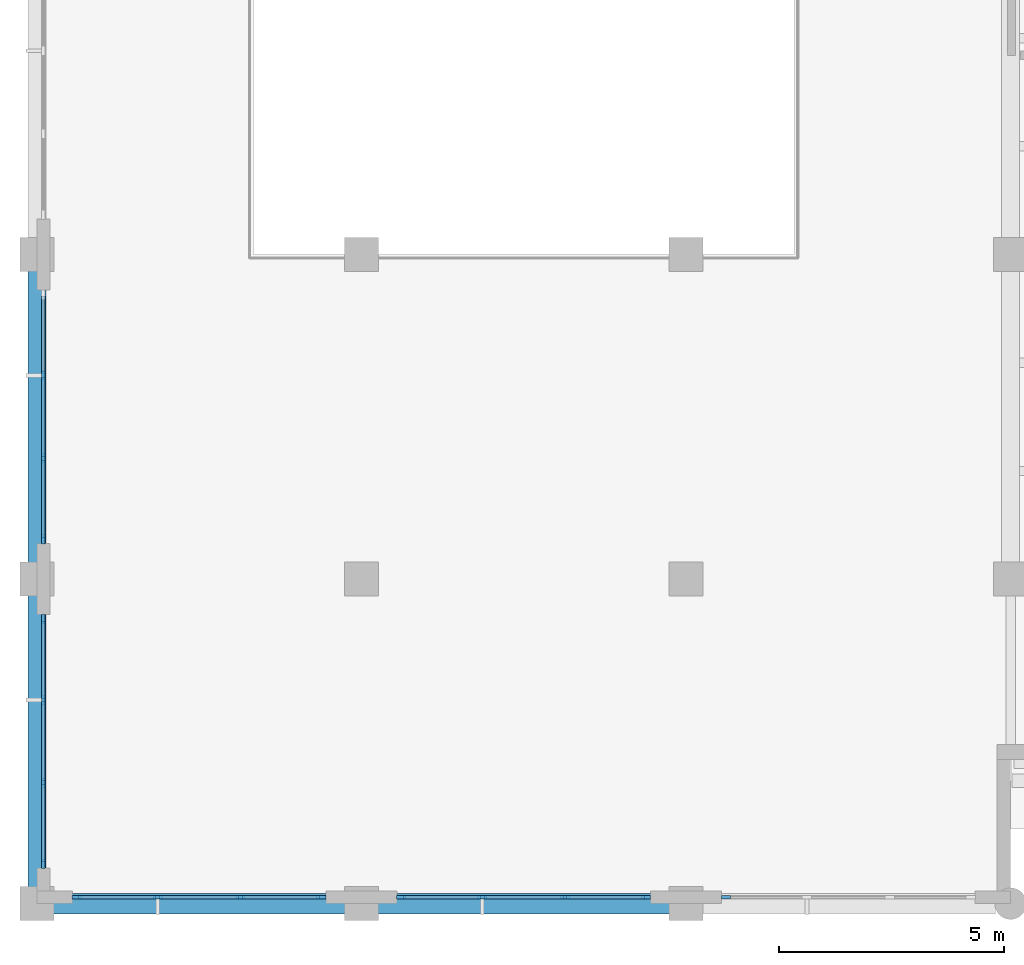
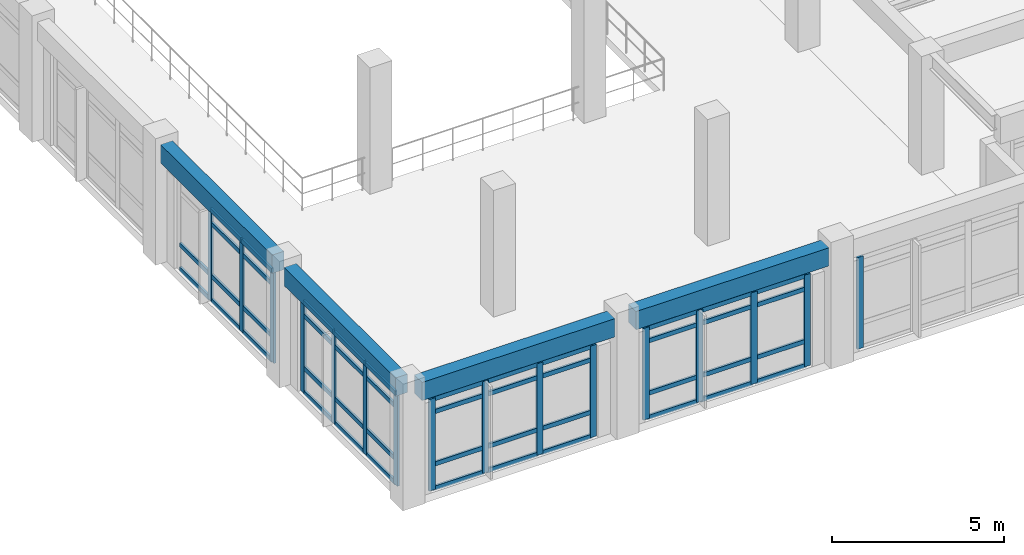
# One storey, part 2 of 64: 62 members, 4 beams, 5 elements without a shape of their own.
"""IFC4 building model written with IfcOpenShell, lengths in metres."""

from ifc_helpers import new_model, si_unit, direction, frame, origin, origin_2d, place, context, subcontext, project, spatial, rectangle, extrude, material, layer, layer_set, material_profile, profile_set, type_object, element, aggregate, save


model = new_model("IFC4")

# Units and contexts
model_context = context("Model", 3, precision=1e-05, world=origin(), true_north=direction((0.0, 1.0)))
body_context = subcontext(model_context, "Body", "Model", "MODEL_VIEW")
ifc_project = project(units=[si_unit("LENGTHUNIT", "METRE"), si_unit("AREAUNIT", "SQUARE_METRE"), si_unit("VOLUMEUNIT", "CUBIC_METRE"), si_unit("PLANEANGLEUNIT", "RADIAN"), si_unit("MASSUNIT", "GRAM", prefix="KILO")], contexts=[model_context])

# Site, building, storey
site_placement = place(None, origin())
site = spatial("IfcSite", under=ifc_project, at=site_placement, CompositionType="ELEMENT")
building_placement = place(site_placement, origin())
building = spatial("IfcBuilding", under=site, at=building_placement, Name="Solenvale Faculty of Natural Sciences", CompositionType="ELEMENT")
storey_placement = place(building_placement, frame((0.0, 0.0, 18.0)))
storey = spatial("IfcBuildingStorey", under=building, at=storey_placement, Name="L04", CompositionType="ELEMENT", Elevation=18.0)

# Beams
ifc_material_1 = material(Name="Concrete 40 MPa", Category="concrete")
ifc_material_profile_1 = material_profile(ifc_material_1, rectangle(XDim=0.39990234375, YDim=0.64990234375, at=origin_2d()), Name="RC-BM-400x650")
ifc_profile_set_1 = profile_set([ifc_material_profile_1], Name="Concrete 40 MPa")
beam_type_1 = type_object("IfcBeamType", Name="BM-RC-400x650", PredefinedType="BEAM", material=ifc_profile_set_1)
beam_1_placement = place(storey_placement, frame((36.0, 14.7548828125, 3.89501953125), z_axis=(0.0, 1.0, 0.0), x_axis=(-1.0, 0.0, 0.0)))
element("IfcBeam", 1, at=beam_1_placement, inside=storey, type_object=beam_type_1, Name="L04 Y-Girder X36.0 (14.4..21.6)", PredefinedType="BEAM", context=body_context, shape_type="SweptSolid", body=[
    extrude(rectangle(XDim=0.39990234375, YDim=0.64990234375, at=origin_2d()), origin(), (0.0, 0.0, 1.0), 6.490234375),
])
beam_2_placement = place(storey_placement, frame((36.0, 21.955078125, 3.89501953125), z_axis=(0.0, 1.0, 0.0), x_axis=(-1.0, 0.0, 0.0)))
element("IfcBeam", 2, at=beam_2_placement, inside=storey, type_object=beam_type_1, Name="L04 Y-Girder X36.0 (21.6..28.8)", PredefinedType="BEAM", context=body_context, shape_type="SweptSolid", body=[
    extrude(rectangle(XDim=0.39990234375, YDim=0.64990234375, at=origin_2d()), origin(), (0.0, 0.0, 1.0), 6.489990234375),
])
ifc_material_profile_2 = material_profile(ifc_material_1, rectangle(XDim=0.449951171875, YDim=0.64990234375, at=origin_2d()), Name="RC-BM-450x650")
ifc_profile_set_2 = profile_set([ifc_material_profile_2], Name="Concrete 40 MPa")
beam_type_2 = type_object("IfcBeamType", Name="BM-RC-450x650", PredefinedType="BEAM", material=ifc_profile_set_2)
for number, where, z_axis, x_axis, name in (
    (3, (36.35498046875, 14.39990234375, 3.89501953125), (1.0, 0.0, 0.0), (0.0, 1.0, 0.0), "L04 X-Girder Y14.4 (36.0..43.2)"),
    (4, (43.554931640625, 14.39990234375, 3.89501953125), (1.0, 0.0, 0.0), (0.0, 1.0, 0.0), "L04 X-Girder Y14.4 (43.2..50.4)"),
):
    element("IfcBeam", number, at=place(storey_placement, frame(where, z_axis=z_axis, x_axis=x_axis)), inside=storey, type_object=beam_type_2, Name=name, PredefinedType="BEAM", context=body_context, shape_type="SweptSolid", body=[
        extrude(rectangle(XDim=0.449951171875, YDim=0.64990234375, at=origin_2d()), origin(), (0.0, 0.0, 1.0), 6.489990234375),
    ])

# Curtain wall, members
ifc_material_2 = material(Name="Anodised bronze aluminium", Category="aluminium")
ifc_layer = layer(ifc_material_2, 0.215087890625)
ifc_layer_set = layer_set([ifc_layer], Name="Anodised bronze aluminium")
curtain_wall_type = type_object("IfcCurtainWallType", Name="CW-ATR-UNIT", PredefinedType="USERDEFINED", material=ifc_layer_set)
curtain_wall_1_placement = place(storey_placement, origin())
curtain_wall_1 = element("IfcCurtainWall", 5, at=curtain_wall_1_placement, inside=storey, type_object=curtain_wall_type, Name="L04 Curtain Wall CW-L04-P1-E3-B10", ObjectType="UNITISED CURTAIN WALL", PredefinedType="USERDEFINED")
ifc_material_profile_3 = material_profile(ifc_material_2, rectangle(XDim=0.074951171875, YDim=0.2099609375, at=origin_2d()), Name="ALU-MUL-75x210")
ifc_profile_set_3 = profile_set([ifc_material_profile_3], Name="Anodised bronze aluminium")
member_type_1 = type_object("IfcMemberType", Name="CWM-ALU-75x210", PredefinedType="MULLION", material=ifc_profile_set_3)
member_1_placement = place(storey_placement, frame((36.142578125, 26.11669921875, 0.0), z_axis=(0.0, 0.0, 1.0), x_axis=(1.0, 0.0, 0.0)))
member_1 = element("IfcMember", 6, at=member_1_placement, type_object=member_type_1, Name="CW-01 mullion 2", PredefinedType="MULLION", context=body_context, shape_type="SweptSolid", body=[
    extrude(rectangle(XDim=0.074951171875, YDim=0.2099609375, at=origin_2d()), origin(), (0.0, 0.0, 1.0), 3.260009765625),
])
member_2_placement = place(storey_placement, frame((36.142578125, 24.283447265625, 0.0), z_axis=(0.0, 0.0, 1.0), x_axis=(1.0, 0.0, 0.0)))
member_2 = element("IfcMember", 7, at=member_2_placement, type_object=member_type_1, Name="CW-01 mullion 3", PredefinedType="MULLION", context=body_context, shape_type="SweptSolid", body=[
    extrude(rectangle(XDim=0.074951171875, YDim=0.2099609375, at=origin_2d()), origin(), (0.0, 0.0, 1.0), 3.260009765625),
])
member_3_placement = place(storey_placement, frame((36.142578125, 22.487548828125, 0.0), z_axis=(0.0, 0.0, 1.0), x_axis=(1.0, 0.0, 0.0)))
member_3 = element("IfcMember", 8, at=member_3_placement, type_object=member_type_1, Name="CW-01 mullion 4", PredefinedType="MULLION", context=body_context, shape_type="SweptSolid", body=[
    extrude(rectangle(XDim=0.074951171875, YDim=0.2099609375, at=origin_2d()), origin(), (0.0, 0.0, 1.0), 3.260009765625),
])

curtain_wall_2_placement = place(storey_placement, origin())
curtain_wall_2 = element("IfcCurtainWall", 9, at=curtain_wall_2_placement, inside=storey, type_object=curtain_wall_type, Name="L04 Curtain Wall CW-L04-P1-E3-B11", ObjectType="UNITISED CURTAIN WALL", PredefinedType="USERDEFINED")
member_4_placement = place(storey_placement, frame((36.142578125, 20.71240234375, 0.0), z_axis=(0.0, 0.0, 1.0), x_axis=(1.0, 0.0, 0.0)))
member_4 = element("IfcMember", 10, at=member_4_placement, type_object=member_type_1, Name="CW-01 mullion 1", PredefinedType="MULLION", context=body_context, shape_type="SweptSolid", body=[
    extrude(rectangle(XDim=0.074951171875, YDim=0.2099609375, at=origin_2d()), origin(), (0.0, 0.0, 1.0), 3.260009765625),
])
member_5_placement = place(storey_placement, frame((36.142578125, 18.916748046875, 0.0), z_axis=(0.0, 0.0, 1.0), x_axis=(1.0, 0.0, 0.0)))
member_5 = element("IfcMember", 11, at=member_5_placement, type_object=member_type_1, Name="CW-01 mullion 2", PredefinedType="MULLION", context=body_context, shape_type="SweptSolid", body=[
    extrude(rectangle(XDim=0.074951171875, YDim=0.2099609375, at=origin_2d()), origin(), (0.0, 0.0, 1.0), 3.260009765625),
])
member_6_placement = place(storey_placement, frame((36.142578125, 17.083251953125, 0.0), z_axis=(0.0, 0.0, 1.0), x_axis=(1.0, 0.0, 0.0)))
member_6 = element("IfcMember", 12, at=member_6_placement, type_object=member_type_1, Name="CW-01 mullion 3", PredefinedType="MULLION", context=body_context, shape_type="SweptSolid", body=[
    extrude(rectangle(XDim=0.074951171875, YDim=0.2099609375, at=origin_2d()), origin(), (0.0, 0.0, 1.0), 3.260009765625),
])
member_7_placement = place(storey_placement, frame((36.142578125, 15.28759765625, 0.0), z_axis=(0.0, 0.0, 1.0), x_axis=(1.0, 0.0, 0.0)))
member_7 = element("IfcMember", 13, at=member_7_placement, type_object=member_type_1, Name="CW-01 mullion 4", PredefinedType="MULLION", context=body_context, shape_type="SweptSolid", body=[
    extrude(rectangle(XDim=0.074951171875, YDim=0.2099609375, at=origin_2d()), origin(), (0.0, 0.0, 1.0), 3.260009765625),
])

curtain_wall_3_placement = place(storey_placement, origin())
curtain_wall_3 = element("IfcCurtainWall", 14, at=curtain_wall_3_placement, inside=storey, type_object=curtain_wall_type, Name="L04 Curtain Wall CW-L04-P1-E4-B1", ObjectType="UNITISED CURTAIN WALL", PredefinedType="USERDEFINED")
member_8_placement = place(storey_placement, frame((36.887451171875, 14.54248046875, 0.0), z_axis=(0.0, 0.0, 1.0), x_axis=(0.0, 1.0, 0.0)))
member_8 = element("IfcMember", 15, at=member_8_placement, type_object=member_type_1, Name="CW-01 mullion 1", PredefinedType="MULLION", context=body_context, shape_type="SweptSolid", body=[
    extrude(rectangle(XDim=0.074951171875, YDim=0.2099609375, at=origin_2d()), origin(), (0.0, 0.0, 1.0), 3.260009765625),
])
member_9_placement = place(storey_placement, frame((38.683349609375, 14.54248046875, 0.0), z_axis=(0.0, 0.0, 1.0), x_axis=(0.0, 1.0, 0.0)))
member_9 = element("IfcMember", 16, at=member_9_placement, type_object=member_type_1, Name="CW-01 mullion 2", PredefinedType="MULLION", context=body_context, shape_type="SweptSolid", body=[
    extrude(rectangle(XDim=0.074951171875, YDim=0.2099609375, at=origin_2d()), origin(), (0.0, 0.0, 1.0), 3.260009765625),
])
member_10_placement = place(storey_placement, frame((40.5166015625, 14.54248046875, 0.0), z_axis=(0.0, 0.0, 1.0), x_axis=(0.0, 1.0, 0.0)))
member_10 = element("IfcMember", 17, at=member_10_placement, type_object=member_type_1, Name="CW-01 mullion 3", PredefinedType="MULLION", context=body_context, shape_type="SweptSolid", body=[
    extrude(rectangle(XDim=0.074951171875, YDim=0.2099609375, at=origin_2d()), origin(), (0.0, 0.0, 1.0), 3.260009765625),
])
member_11_placement = place(storey_placement, frame((42.3125, 14.54248046875, 0.0), z_axis=(0.0, 0.0, 1.0), x_axis=(0.0, 1.0, 0.0)))
member_11 = element("IfcMember", 18, at=member_11_placement, type_object=member_type_1, Name="CW-01 mullion 4", PredefinedType="MULLION", context=body_context, shape_type="SweptSolid", body=[
    extrude(rectangle(XDim=0.074951171875, YDim=0.2099609375, at=origin_2d()), origin(), (0.0, 0.0, 1.0), 3.260009765625),
])

curtain_wall_4_placement = place(storey_placement, origin())
curtain_wall_4 = element("IfcCurtainWall", 19, at=curtain_wall_4_placement, inside=storey, type_object=curtain_wall_type, Name="L04 Curtain Wall CW-L04-P1-E4-B2", ObjectType="UNITISED CURTAIN WALL", PredefinedType="USERDEFINED")
member_12_placement = place(storey_placement, frame((44.08740234375, 14.54248046875, 0.0), z_axis=(0.0, 0.0, 1.0), x_axis=(0.0, 1.0, 0.0)))
member_12 = element("IfcMember", 20, at=member_12_placement, type_object=member_type_1, Name="CW-01 mullion 1", PredefinedType="MULLION", context=body_context, shape_type="SweptSolid", body=[
    extrude(rectangle(XDim=0.074951171875, YDim=0.2099609375, at=origin_2d()), origin(), (0.0, 0.0, 1.0), 3.260009765625),
])
member_13_placement = place(storey_placement, frame((45.88330078125, 14.54248046875, 0.0), z_axis=(0.0, 0.0, 1.0), x_axis=(0.0, 1.0, 0.0)))
member_13 = element("IfcMember", 21, at=member_13_placement, type_object=member_type_1, Name="CW-01 mullion 2", PredefinedType="MULLION", context=body_context, shape_type="SweptSolid", body=[
    extrude(rectangle(XDim=0.074951171875, YDim=0.2099609375, at=origin_2d()), origin(), (0.0, 0.0, 1.0), 3.260009765625),
])
member_14_placement = place(storey_placement, frame((47.716552734375, 14.54248046875, 0.0), z_axis=(0.0, 0.0, 1.0), x_axis=(0.0, 1.0, 0.0)))
member_14 = element("IfcMember", 22, at=member_14_placement, type_object=member_type_1, Name="CW-01 mullion 3", PredefinedType="MULLION", context=body_context, shape_type="SweptSolid", body=[
    extrude(rectangle(XDim=0.074951171875, YDim=0.2099609375, at=origin_2d()), origin(), (0.0, 0.0, 1.0), 3.260009765625),
])
member_15_placement = place(storey_placement, frame((49.512451171875, 14.54248046875, 0.0), z_axis=(0.0, 0.0, 1.0), x_axis=(0.0, 1.0, 0.0)))
member_15 = element("IfcMember", 23, at=member_15_placement, type_object=member_type_1, Name="CW-01 mullion 4", PredefinedType="MULLION", context=body_context, shape_type="SweptSolid", body=[
    extrude(rectangle(XDim=0.074951171875, YDim=0.2099609375, at=origin_2d()), origin(), (0.0, 0.0, 1.0), 3.260009765625),
])

# Curtain wall, member
curtain_wall_5_placement = place(storey_placement, origin())
curtain_wall_5 = element("IfcCurtainWall", 24, at=curtain_wall_5_placement, inside=storey, type_object=curtain_wall_type, Name="L04 Curtain Wall CW-L04-P1-E4-B3", ObjectType="UNITISED CURTAIN WALL", PredefinedType="USERDEFINED")
member_16_placement = place(storey_placement, frame((51.28759765625, 14.54248046875, 0.0), z_axis=(0.0, 0.0, 1.0), x_axis=(0.0, 1.0, 0.0)))
member_16 = element("IfcMember", 25, at=member_16_placement, type_object=member_type_1, Name="CW-01 mullion 1", PredefinedType="MULLION", context=body_context, shape_type="SweptSolid", body=[
    extrude(rectangle(XDim=0.074951171875, YDim=0.2099609375, at=origin_2d()), origin(), (0.0, 0.0, 1.0), 3.260009765625),
])
aggregate(curtain_wall_5, [member_16])

# Member
ifc_material_profile_4 = material_profile(ifc_material_2, rectangle(XDim=0.074951171875, YDim=0.155029296875, at=origin_2d()), Name="ALU-TRN-75x155")
ifc_profile_set_4 = profile_set([ifc_material_profile_4], Name="Anodised bronze aluminium")
member_type_2 = type_object("IfcMemberType", Name="CWT-ALU-75x155", PredefinedType="USERDEFINED", material=ifc_profile_set_4)
member_17_placement = place(storey_placement, frame((36.142578125, 27.875, 0.03759765625), z_axis=(0.0, -1.0, 0.0), x_axis=(1.0, 0.0, 0.0)))
member_17 = element("IfcMember", 26, at=member_17_placement, type_object=member_type_2, Name="CW-01 transom 1.1", ObjectType="TRANSOM", PredefinedType="USERDEFINED", context=body_context, shape_type="SweptSolid", body=[
    extrude(rectangle(XDim=0.074951171875, YDim=0.155029296875, at=origin_2d()), origin(), (0.0, 0.0, 1.0), 1.720947265625),
])

member_18_placement = place(storey_placement, frame((36.142578125, 27.875, 0.89990234375), z_axis=(0.0, -1.0, 0.0), x_axis=(1.0, 0.0, 0.0)))
member_18 = element("IfcMember", 27, at=member_18_placement, type_object=member_type_2, Name="CW-01 transom 1.2", ObjectType="TRANSOM", PredefinedType="USERDEFINED", context=body_context, shape_type="SweptSolid", body=[
    extrude(rectangle(XDim=0.074951171875, YDim=0.155029296875, at=origin_2d()), origin(), (0.0, 0.0, 1.0), 1.720947265625),
])

member_19_placement = place(storey_placement, frame((36.142578125, 26.0791015625, 0.03759765625), z_axis=(0.0, -1.0, 0.0), x_axis=(1.0, 0.0, 0.0)))
member_19 = element("IfcMember", 28, at=member_19_placement, type_object=member_type_2, Name="CW-01 transom 2.1", ObjectType="TRANSOM", PredefinedType="USERDEFINED", context=body_context, shape_type="SweptSolid", body=[
    extrude(rectangle(XDim=0.074951171875, YDim=0.155029296875, at=origin_2d()), origin(), (0.0, 0.0, 1.0), 1.75830078125),
])

member_20_placement = place(storey_placement, frame((36.142578125, 26.0791015625, 0.89990234375), z_axis=(0.0, -1.0, 0.0), x_axis=(1.0, 0.0, 0.0)))
member_20 = element("IfcMember", 29, at=member_20_placement, type_object=member_type_2, Name="CW-01 transom 2.2", ObjectType="TRANSOM", PredefinedType="USERDEFINED", context=body_context, shape_type="SweptSolid", body=[
    extrude(rectangle(XDim=0.074951171875, YDim=0.155029296875, at=origin_2d()), origin(), (0.0, 0.0, 1.0), 1.75830078125),
])

member_21_placement = place(storey_placement, frame((36.142578125, 26.0791015625, 2.760009765625), z_axis=(0.0, -1.0, 0.0), x_axis=(1.0, 0.0, 0.0)))
member_21 = element("IfcMember", 30, at=member_21_placement, type_object=member_type_2, Name="CW-01 transom 2.3", ObjectType="TRANSOM", PredefinedType="USERDEFINED", context=body_context, shape_type="SweptSolid", body=[
    extrude(rectangle(XDim=0.074951171875, YDim=0.155029296875, at=origin_2d()), origin(), (0.0, 0.0, 1.0), 1.75830078125),
])

member_22_placement = place(storey_placement, frame((36.142578125, 26.0791015625, 3.222412109375), z_axis=(0.0, -1.0, 0.0), x_axis=(1.0, 0.0, 0.0)))
member_22 = element("IfcMember", 31, at=member_22_placement, type_object=member_type_2, Name="CW-01 transom 2.4", ObjectType="TRANSOM", PredefinedType="USERDEFINED", context=body_context, shape_type="SweptSolid", body=[
    extrude(rectangle(XDim=0.074951171875, YDim=0.155029296875, at=origin_2d()), origin(), (0.0, 0.0, 1.0), 1.75830078125),
])

member_23_placement = place(storey_placement, frame((36.142578125, 24.245849609375, 0.03759765625), z_axis=(0.0, -1.0, 0.0), x_axis=(1.0, 0.0, 0.0)))
member_23 = element("IfcMember", 32, at=member_23_placement, type_object=member_type_2, Name="CW-01 transom 3.1", ObjectType="TRANSOM", PredefinedType="USERDEFINED", context=body_context, shape_type="SweptSolid", body=[
    extrude(rectangle(XDim=0.074951171875, YDim=0.155029296875, at=origin_2d()), origin(), (0.0, 0.0, 1.0), 1.720947265625),
])

member_24_placement = place(storey_placement, frame((36.142578125, 24.245849609375, 0.89990234375), z_axis=(0.0, -1.0, 0.0), x_axis=(1.0, 0.0, 0.0)))
member_24 = element("IfcMember", 33, at=member_24_placement, type_object=member_type_2, Name="CW-01 transom 3.2", ObjectType="TRANSOM", PredefinedType="USERDEFINED", context=body_context, shape_type="SweptSolid", body=[
    extrude(rectangle(XDim=0.074951171875, YDim=0.155029296875, at=origin_2d()), origin(), (0.0, 0.0, 1.0), 1.720947265625),
])

member_25_placement = place(storey_placement, frame((36.142578125, 24.245849609375, 2.760009765625), z_axis=(0.0, -1.0, 0.0), x_axis=(1.0, 0.0, 0.0)))
member_25 = element("IfcMember", 34, at=member_25_placement, type_object=member_type_2, Name="CW-01 transom 3.3", ObjectType="TRANSOM", PredefinedType="USERDEFINED", context=body_context, shape_type="SweptSolid", body=[
    extrude(rectangle(XDim=0.074951171875, YDim=0.155029296875, at=origin_2d()), origin(), (0.0, 0.0, 1.0), 1.720947265625),
])

member_26_placement = place(storey_placement, frame((36.142578125, 24.245849609375, 3.222412109375), z_axis=(0.0, -1.0, 0.0), x_axis=(1.0, 0.0, 0.0)))
member_26 = element("IfcMember", 35, at=member_26_placement, type_object=member_type_2, Name="CW-01 transom 3.4", ObjectType="TRANSOM", PredefinedType="USERDEFINED", context=body_context, shape_type="SweptSolid", body=[
    extrude(rectangle(XDim=0.074951171875, YDim=0.155029296875, at=origin_2d()), origin(), (0.0, 0.0, 1.0), 1.720947265625),
])

aggregate(curtain_wall_1, [member_1, member_2, member_3, member_17, member_18, member_19, member_20, member_21, member_22, member_23, member_24, member_25, member_26])

member_27_placement = place(storey_placement, frame((36.142578125, 20.675048828125, 0.03759765625), z_axis=(0.0, -1.0, 0.0), x_axis=(1.0, 0.0, 0.0)))
member_27 = element("IfcMember", 36, at=member_27_placement, type_object=member_type_2, Name="CW-01 transom 1.1", ObjectType="TRANSOM", PredefinedType="USERDEFINED", context=body_context, shape_type="SweptSolid", body=[
    extrude(rectangle(XDim=0.074951171875, YDim=0.155029296875, at=origin_2d()), origin(), (0.0, 0.0, 1.0), 1.720947265625),
])

member_28_placement = place(storey_placement, frame((36.142578125, 20.675048828125, 0.89990234375), z_axis=(0.0, -1.0, 0.0), x_axis=(1.0, 0.0, 0.0)))
member_28 = element("IfcMember", 37, at=member_28_placement, type_object=member_type_2, Name="CW-01 transom 1.2", ObjectType="TRANSOM", PredefinedType="USERDEFINED", context=body_context, shape_type="SweptSolid", body=[
    extrude(rectangle(XDim=0.074951171875, YDim=0.155029296875, at=origin_2d()), origin(), (0.0, 0.0, 1.0), 1.720947265625),
])

member_29_placement = place(storey_placement, frame((36.142578125, 20.675048828125, 2.760009765625), z_axis=(0.0, -1.0, 0.0), x_axis=(1.0, 0.0, 0.0)))
member_29 = element("IfcMember", 38, at=member_29_placement, type_object=member_type_2, Name="CW-01 transom 1.3", ObjectType="TRANSOM", PredefinedType="USERDEFINED", context=body_context, shape_type="SweptSolid", body=[
    extrude(rectangle(XDim=0.074951171875, YDim=0.155029296875, at=origin_2d()), origin(), (0.0, 0.0, 1.0), 1.720947265625),
])

member_30_placement = place(storey_placement, frame((36.142578125, 20.675048828125, 3.222412109375), z_axis=(0.0, -1.0, 0.0), x_axis=(1.0, 0.0, 0.0)))
member_30 = element("IfcMember", 39, at=member_30_placement, type_object=member_type_2, Name="CW-01 transom 1.4", ObjectType="TRANSOM", PredefinedType="USERDEFINED", context=body_context, shape_type="SweptSolid", body=[
    extrude(rectangle(XDim=0.074951171875, YDim=0.155029296875, at=origin_2d()), origin(), (0.0, 0.0, 1.0), 1.720947265625),
])

member_31_placement = place(storey_placement, frame((36.142578125, 18.879150390625, 0.03759765625), z_axis=(0.0, -1.0, 0.0), x_axis=(1.0, 0.0, 0.0)))
member_31 = element("IfcMember", 40, at=member_31_placement, type_object=member_type_2, Name="CW-01 transom 2.1", ObjectType="TRANSOM", PredefinedType="USERDEFINED", context=body_context, shape_type="SweptSolid", body=[
    extrude(rectangle(XDim=0.074951171875, YDim=0.155029296875, at=origin_2d()), origin(), (0.0, 0.0, 1.0), 1.75830078125),
])

member_32_placement = place(storey_placement, frame((36.142578125, 18.879150390625, 0.89990234375), z_axis=(0.0, -1.0, 0.0), x_axis=(1.0, 0.0, 0.0)))
member_32 = element("IfcMember", 41, at=member_32_placement, type_object=member_type_2, Name="CW-01 transom 2.2", ObjectType="TRANSOM", PredefinedType="USERDEFINED", context=body_context, shape_type="SweptSolid", body=[
    extrude(rectangle(XDim=0.074951171875, YDim=0.155029296875, at=origin_2d()), origin(), (0.0, 0.0, 1.0), 1.75830078125),
])

member_33_placement = place(storey_placement, frame((36.142578125, 18.879150390625, 2.760009765625), z_axis=(0.0, -1.0, 0.0), x_axis=(1.0, 0.0, 0.0)))
member_33 = element("IfcMember", 42, at=member_33_placement, type_object=member_type_2, Name="CW-01 transom 2.3", ObjectType="TRANSOM", PredefinedType="USERDEFINED", context=body_context, shape_type="SweptSolid", body=[
    extrude(rectangle(XDim=0.074951171875, YDim=0.155029296875, at=origin_2d()), origin(), (0.0, 0.0, 1.0), 1.75830078125),
])

member_34_placement = place(storey_placement, frame((36.142578125, 18.879150390625, 3.222412109375), z_axis=(0.0, -1.0, 0.0), x_axis=(1.0, 0.0, 0.0)))
member_34 = element("IfcMember", 43, at=member_34_placement, type_object=member_type_2, Name="CW-01 transom 2.4", ObjectType="TRANSOM", PredefinedType="USERDEFINED", context=body_context, shape_type="SweptSolid", body=[
    extrude(rectangle(XDim=0.074951171875, YDim=0.155029296875, at=origin_2d()), origin(), (0.0, 0.0, 1.0), 1.75830078125),
])

member_35_placement = place(storey_placement, frame((36.142578125, 17.0458984375, 0.03759765625), z_axis=(0.0, -1.0, 0.0), x_axis=(1.0, 0.0, 0.0)))
member_35 = element("IfcMember", 44, at=member_35_placement, type_object=member_type_2, Name="CW-01 transom 3.1", ObjectType="TRANSOM", PredefinedType="USERDEFINED", context=body_context, shape_type="SweptSolid", body=[
    extrude(rectangle(XDim=0.074951171875, YDim=0.155029296875, at=origin_2d()), origin(), (0.0, 0.0, 1.0), 1.720947265625),
])

member_36_placement = place(storey_placement, frame((36.142578125, 17.0458984375, 0.89990234375), z_axis=(0.0, -1.0, 0.0), x_axis=(1.0, 0.0, 0.0)))
member_36 = element("IfcMember", 45, at=member_36_placement, type_object=member_type_2, Name="CW-01 transom 3.2", ObjectType="TRANSOM", PredefinedType="USERDEFINED", context=body_context, shape_type="SweptSolid", body=[
    extrude(rectangle(XDim=0.074951171875, YDim=0.155029296875, at=origin_2d()), origin(), (0.0, 0.0, 1.0), 1.720947265625),
])

member_37_placement = place(storey_placement, frame((36.142578125, 17.0458984375, 2.760009765625), z_axis=(0.0, -1.0, 0.0), x_axis=(1.0, 0.0, 0.0)))
member_37 = element("IfcMember", 46, at=member_37_placement, type_object=member_type_2, Name="CW-01 transom 3.3", ObjectType="TRANSOM", PredefinedType="USERDEFINED", context=body_context, shape_type="SweptSolid", body=[
    extrude(rectangle(XDim=0.074951171875, YDim=0.155029296875, at=origin_2d()), origin(), (0.0, 0.0, 1.0), 1.720947265625),
])

member_38_placement = place(storey_placement, frame((36.142578125, 17.0458984375, 3.222412109375), z_axis=(0.0, -1.0, 0.0), x_axis=(1.0, 0.0, 0.0)))
member_38 = element("IfcMember", 47, at=member_38_placement, type_object=member_type_2, Name="CW-01 transom 3.4", ObjectType="TRANSOM", PredefinedType="USERDEFINED", context=body_context, shape_type="SweptSolid", body=[
    extrude(rectangle(XDim=0.074951171875, YDim=0.155029296875, at=origin_2d()), origin(), (0.0, 0.0, 1.0), 1.720947265625),
])

aggregate(curtain_wall_2, [member_4, member_5, member_6, member_7, member_27, member_28, member_29, member_30, member_31, member_32, member_33, member_34, member_35, member_36, member_37, member_38])

member_39_placement = place(storey_placement, frame((36.925048828125, 14.54248046875, 0.03759765625), z_axis=(1.0, 0.0, 0.0), x_axis=(0.0, 1.0, 0.0)))
member_39 = element("IfcMember", 48, at=member_39_placement, type_object=member_type_2, Name="CW-01 transom 1.1", ObjectType="TRANSOM", PredefinedType="USERDEFINED", context=body_context, shape_type="SweptSolid", body=[
    extrude(rectangle(XDim=0.074951171875, YDim=0.155029296875, at=origin_2d()), origin(), (0.0, 0.0, 1.0), 1.720703125),
])

member_40_placement = place(storey_placement, frame((36.925048828125, 14.54248046875, 0.89990234375), z_axis=(1.0, 0.0, 0.0), x_axis=(0.0, 1.0, 0.0)))
member_40 = element("IfcMember", 49, at=member_40_placement, type_object=member_type_2, Name="CW-01 transom 1.2", ObjectType="TRANSOM", PredefinedType="USERDEFINED", context=body_context, shape_type="SweptSolid", body=[
    extrude(rectangle(XDim=0.074951171875, YDim=0.155029296875, at=origin_2d()), origin(), (0.0, 0.0, 1.0), 1.720703125),
])

member_41_placement = place(storey_placement, frame((36.925048828125, 14.54248046875, 2.760009765625), z_axis=(1.0, 0.0, 0.0), x_axis=(0.0, 1.0, 0.0)))
member_41 = element("IfcMember", 50, at=member_41_placement, type_object=member_type_2, Name="CW-01 transom 1.3", ObjectType="TRANSOM", PredefinedType="USERDEFINED", context=body_context, shape_type="SweptSolid", body=[
    extrude(rectangle(XDim=0.074951171875, YDim=0.155029296875, at=origin_2d()), origin(), (0.0, 0.0, 1.0), 1.720703125),
])

member_42_placement = place(storey_placement, frame((36.925048828125, 14.54248046875, 3.222412109375), z_axis=(1.0, 0.0, 0.0), x_axis=(0.0, 1.0, 0.0)))
member_42 = element("IfcMember", 51, at=member_42_placement, type_object=member_type_2, Name="CW-01 transom 1.4", ObjectType="TRANSOM", PredefinedType="USERDEFINED", context=body_context, shape_type="SweptSolid", body=[
    extrude(rectangle(XDim=0.074951171875, YDim=0.155029296875, at=origin_2d()), origin(), (0.0, 0.0, 1.0), 1.720703125),
])

member_43_placement = place(storey_placement, frame((38.720947265625, 14.54248046875, 0.03759765625), z_axis=(1.0, 0.0, 0.0), x_axis=(0.0, 1.0, 0.0)))
member_43 = element("IfcMember", 52, at=member_43_placement, type_object=member_type_2, Name="CW-01 transom 2.1", ObjectType="TRANSOM", PredefinedType="USERDEFINED", context=body_context, shape_type="SweptSolid", body=[
    extrude(rectangle(XDim=0.074951171875, YDim=0.155029296875, at=origin_2d()), origin(), (0.0, 0.0, 1.0), 1.75830078125),
])

member_44_placement = place(storey_placement, frame((38.720947265625, 14.54248046875, 0.89990234375), z_axis=(1.0, 0.0, 0.0), x_axis=(0.0, 1.0, 0.0)))
member_44 = element("IfcMember", 53, at=member_44_placement, type_object=member_type_2, Name="CW-01 transom 2.2", ObjectType="TRANSOM", PredefinedType="USERDEFINED", context=body_context, shape_type="SweptSolid", body=[
    extrude(rectangle(XDim=0.074951171875, YDim=0.155029296875, at=origin_2d()), origin(), (0.0, 0.0, 1.0), 1.75830078125),
])

member_45_placement = place(storey_placement, frame((38.720947265625, 14.54248046875, 2.760009765625), z_axis=(1.0, 0.0, 0.0), x_axis=(0.0, 1.0, 0.0)))
member_45 = element("IfcMember", 54, at=member_45_placement, type_object=member_type_2, Name="CW-01 transom 2.3", ObjectType="TRANSOM", PredefinedType="USERDEFINED", context=body_context, shape_type="SweptSolid", body=[
    extrude(rectangle(XDim=0.074951171875, YDim=0.155029296875, at=origin_2d()), origin(), (0.0, 0.0, 1.0), 1.75830078125),
])

member_46_placement = place(storey_placement, frame((38.720947265625, 14.54248046875, 3.222412109375), z_axis=(1.0, 0.0, 0.0), x_axis=(0.0, 1.0, 0.0)))
member_46 = element("IfcMember", 55, at=member_46_placement, type_object=member_type_2, Name="CW-01 transom 2.4", ObjectType="TRANSOM", PredefinedType="USERDEFINED", context=body_context, shape_type="SweptSolid", body=[
    extrude(rectangle(XDim=0.074951171875, YDim=0.155029296875, at=origin_2d()), origin(), (0.0, 0.0, 1.0), 1.75830078125),
])

member_47_placement = place(storey_placement, frame((40.55419921875, 14.54248046875, 0.03759765625), z_axis=(1.0, 0.0, 0.0), x_axis=(0.0, 1.0, 0.0)))
member_47 = element("IfcMember", 56, at=member_47_placement, type_object=member_type_2, Name="CW-01 transom 3.1", ObjectType="TRANSOM", PredefinedType="USERDEFINED", context=body_context, shape_type="SweptSolid", body=[
    extrude(rectangle(XDim=0.074951171875, YDim=0.155029296875, at=origin_2d()), origin(), (0.0, 0.0, 1.0), 1.720703125),
])

member_48_placement = place(storey_placement, frame((40.55419921875, 14.54248046875, 0.89990234375), z_axis=(1.0, 0.0, 0.0), x_axis=(0.0, 1.0, 0.0)))
member_48 = element("IfcMember", 57, at=member_48_placement, type_object=member_type_2, Name="CW-01 transom 3.2", ObjectType="TRANSOM", PredefinedType="USERDEFINED", context=body_context, shape_type="SweptSolid", body=[
    extrude(rectangle(XDim=0.074951171875, YDim=0.155029296875, at=origin_2d()), origin(), (0.0, 0.0, 1.0), 1.720703125),
])

member_49_placement = place(storey_placement, frame((40.55419921875, 14.54248046875, 2.760009765625), z_axis=(1.0, 0.0, 0.0), x_axis=(0.0, 1.0, 0.0)))
member_49 = element("IfcMember", 58, at=member_49_placement, type_object=member_type_2, Name="CW-01 transom 3.3", ObjectType="TRANSOM", PredefinedType="USERDEFINED", context=body_context, shape_type="SweptSolid", body=[
    extrude(rectangle(XDim=0.074951171875, YDim=0.155029296875, at=origin_2d()), origin(), (0.0, 0.0, 1.0), 1.720703125),
])

member_50_placement = place(storey_placement, frame((40.55419921875, 14.54248046875, 3.222412109375), z_axis=(1.0, 0.0, 0.0), x_axis=(0.0, 1.0, 0.0)))
member_50 = element("IfcMember", 59, at=member_50_placement, type_object=member_type_2, Name="CW-01 transom 3.4", ObjectType="TRANSOM", PredefinedType="USERDEFINED", context=body_context, shape_type="SweptSolid", body=[
    extrude(rectangle(XDim=0.074951171875, YDim=0.155029296875, at=origin_2d()), origin(), (0.0, 0.0, 1.0), 1.720703125),
])

aggregate(curtain_wall_3, [member_8, member_9, member_10, member_11, member_39, member_40, member_41, member_42, member_43, member_44, member_45, member_46, member_47, member_48, member_49, member_50])

member_51_placement = place(storey_placement, frame((44.125, 14.54248046875, 0.03759765625), z_axis=(1.0, 0.0, 0.0), x_axis=(0.0, 1.0, 0.0)))
member_51 = element("IfcMember", 60, at=member_51_placement, type_object=member_type_2, Name="CW-01 transom 1.1", ObjectType="TRANSOM", PredefinedType="USERDEFINED", context=body_context, shape_type="SweptSolid", body=[
    extrude(rectangle(XDim=0.074951171875, YDim=0.155029296875, at=origin_2d()), origin(), (0.0, 0.0, 1.0), 1.720947265625),
])

member_52_placement = place(storey_placement, frame((44.125, 14.54248046875, 0.89990234375), z_axis=(1.0, 0.0, 0.0), x_axis=(0.0, 1.0, 0.0)))
member_52 = element("IfcMember", 61, at=member_52_placement, type_object=member_type_2, Name="CW-01 transom 1.2", ObjectType="TRANSOM", PredefinedType="USERDEFINED", context=body_context, shape_type="SweptSolid", body=[
    extrude(rectangle(XDim=0.074951171875, YDim=0.155029296875, at=origin_2d()), origin(), (0.0, 0.0, 1.0), 1.720947265625),
])

member_53_placement = place(storey_placement, frame((44.125, 14.54248046875, 2.760009765625), z_axis=(1.0, 0.0, 0.0), x_axis=(0.0, 1.0, 0.0)))
member_53 = element("IfcMember", 62, at=member_53_placement, type_object=member_type_2, Name="CW-01 transom 1.3", ObjectType="TRANSOM", PredefinedType="USERDEFINED", context=body_context, shape_type="SweptSolid", body=[
    extrude(rectangle(XDim=0.074951171875, YDim=0.155029296875, at=origin_2d()), origin(), (0.0, 0.0, 1.0), 1.720947265625),
])

member_54_placement = place(storey_placement, frame((44.125, 14.54248046875, 3.222412109375), z_axis=(1.0, 0.0, 0.0), x_axis=(0.0, 1.0, 0.0)))
member_54 = element("IfcMember", 63, at=member_54_placement, type_object=member_type_2, Name="CW-01 transom 1.4", ObjectType="TRANSOM", PredefinedType="USERDEFINED", context=body_context, shape_type="SweptSolid", body=[
    extrude(rectangle(XDim=0.074951171875, YDim=0.155029296875, at=origin_2d()), origin(), (0.0, 0.0, 1.0), 1.720947265625),
])

member_55_placement = place(storey_placement, frame((45.9208984375, 14.54248046875, 0.03759765625), z_axis=(1.0, 0.0, 0.0), x_axis=(0.0, 1.0, 0.0)))
member_55 = element("IfcMember", 64, at=member_55_placement, type_object=member_type_2, Name="CW-01 transom 2.1", ObjectType="TRANSOM", PredefinedType="USERDEFINED", context=body_context, shape_type="SweptSolid", body=[
    extrude(rectangle(XDim=0.074951171875, YDim=0.155029296875, at=origin_2d()), origin(), (0.0, 0.0, 1.0), 1.75830078125),
])

member_56_placement = place(storey_placement, frame((45.9208984375, 14.54248046875, 0.89990234375), z_axis=(1.0, 0.0, 0.0), x_axis=(0.0, 1.0, 0.0)))
member_56 = element("IfcMember", 65, at=member_56_placement, type_object=member_type_2, Name="CW-01 transom 2.2", ObjectType="TRANSOM", PredefinedType="USERDEFINED", context=body_context, shape_type="SweptSolid", body=[
    extrude(rectangle(XDim=0.074951171875, YDim=0.155029296875, at=origin_2d()), origin(), (0.0, 0.0, 1.0), 1.75830078125),
])

member_57_placement = place(storey_placement, frame((45.9208984375, 14.54248046875, 2.760009765625), z_axis=(1.0, 0.0, 0.0), x_axis=(0.0, 1.0, 0.0)))
member_57 = element("IfcMember", 66, at=member_57_placement, type_object=member_type_2, Name="CW-01 transom 2.3", ObjectType="TRANSOM", PredefinedType="USERDEFINED", context=body_context, shape_type="SweptSolid", body=[
    extrude(rectangle(XDim=0.074951171875, YDim=0.155029296875, at=origin_2d()), origin(), (0.0, 0.0, 1.0), 1.75830078125),
])

member_58_placement = place(storey_placement, frame((45.9208984375, 14.54248046875, 3.222412109375), z_axis=(1.0, 0.0, 0.0), x_axis=(0.0, 1.0, 0.0)))
member_58 = element("IfcMember", 67, at=member_58_placement, type_object=member_type_2, Name="CW-01 transom 2.4", ObjectType="TRANSOM", PredefinedType="USERDEFINED", context=body_context, shape_type="SweptSolid", body=[
    extrude(rectangle(XDim=0.074951171875, YDim=0.155029296875, at=origin_2d()), origin(), (0.0, 0.0, 1.0), 1.75830078125),
])

member_59_placement = place(storey_placement, frame((47.754150390625, 14.54248046875, 0.03759765625), z_axis=(1.0, 0.0, 0.0), x_axis=(0.0, 1.0, 0.0)))
member_59 = element("IfcMember", 68, at=member_59_placement, type_object=member_type_2, Name="CW-01 transom 3.1", ObjectType="TRANSOM", PredefinedType="USERDEFINED", context=body_context, shape_type="SweptSolid", body=[
    extrude(rectangle(XDim=0.074951171875, YDim=0.155029296875, at=origin_2d()), origin(), (0.0, 0.0, 1.0), 1.720947265625),
])

member_60_placement = place(storey_placement, frame((47.754150390625, 14.54248046875, 0.89990234375), z_axis=(1.0, 0.0, 0.0), x_axis=(0.0, 1.0, 0.0)))
member_60 = element("IfcMember", 69, at=member_60_placement, type_object=member_type_2, Name="CW-01 transom 3.2", ObjectType="TRANSOM", PredefinedType="USERDEFINED", context=body_context, shape_type="SweptSolid", body=[
    extrude(rectangle(XDim=0.074951171875, YDim=0.155029296875, at=origin_2d()), origin(), (0.0, 0.0, 1.0), 1.720947265625),
])

member_61_placement = place(storey_placement, frame((47.754150390625, 14.54248046875, 2.760009765625), z_axis=(1.0, 0.0, 0.0), x_axis=(0.0, 1.0, 0.0)))
member_61 = element("IfcMember", 70, at=member_61_placement, type_object=member_type_2, Name="CW-01 transom 3.3", ObjectType="TRANSOM", PredefinedType="USERDEFINED", context=body_context, shape_type="SweptSolid", body=[
    extrude(rectangle(XDim=0.074951171875, YDim=0.155029296875, at=origin_2d()), origin(), (0.0, 0.0, 1.0), 1.720947265625),
])

member_62_placement = place(storey_placement, frame((47.754150390625, 14.54248046875, 3.222412109375), z_axis=(1.0, 0.0, 0.0), x_axis=(0.0, 1.0, 0.0)))
member_62 = element("IfcMember", 71, at=member_62_placement, type_object=member_type_2, Name="CW-01 transom 3.4", ObjectType="TRANSOM", PredefinedType="USERDEFINED", context=body_context, shape_type="SweptSolid", body=[
    extrude(rectangle(XDim=0.074951171875, YDim=0.155029296875, at=origin_2d()), origin(), (0.0, 0.0, 1.0), 1.720947265625),
])

aggregate(curtain_wall_4, [member_12, member_13, member_14, member_15, member_51, member_52, member_53, member_54, member_55, member_56, member_57, member_58, member_59, member_60, member_61, member_62])

save(model, "model.ifc")
